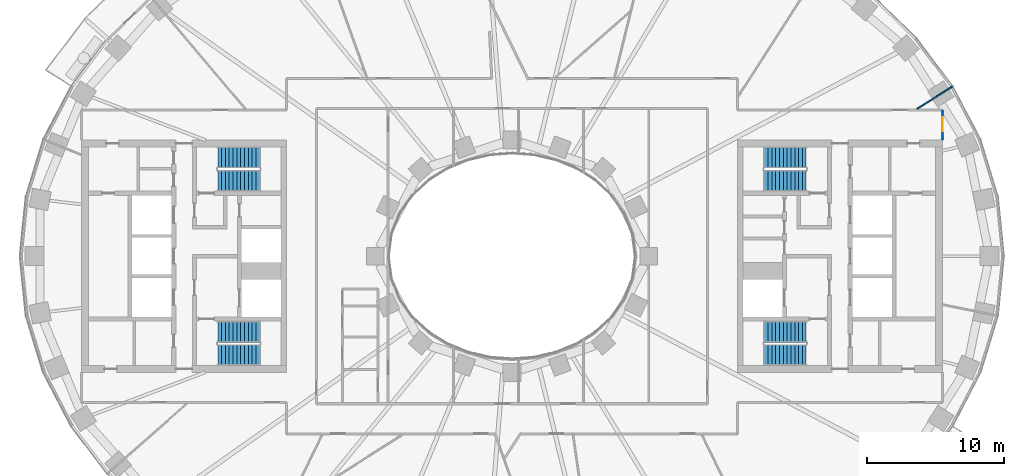
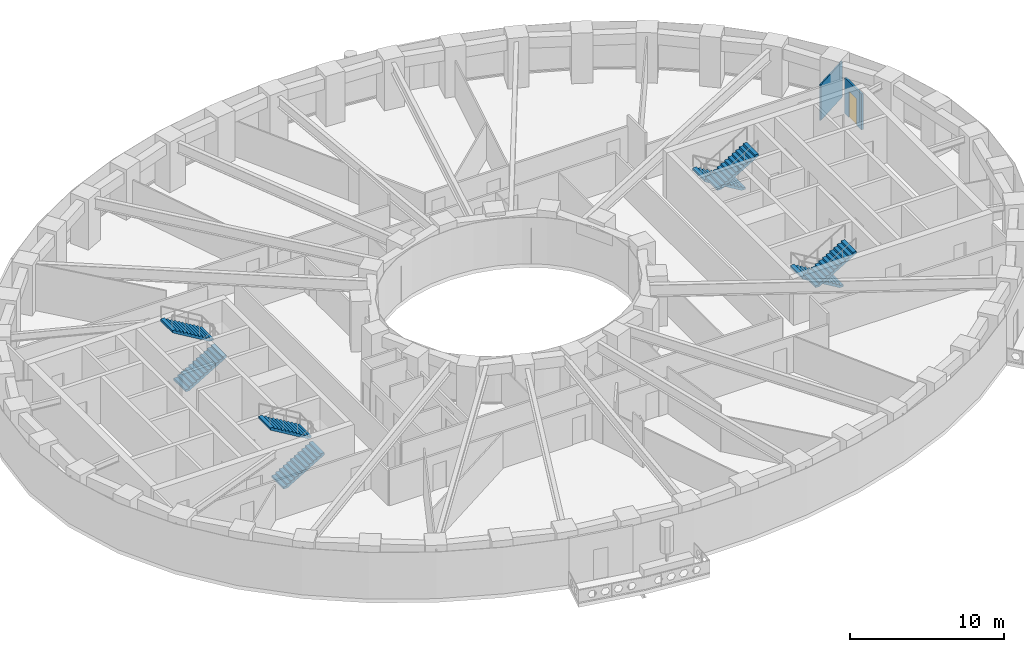
# One storey, part 7 of 16: 8 stair flights, 2 walls, 1 door, 1 opening, 4 elements without a shape of their own.
"""IFC4 building model written with IfcOpenShell, lengths in metres."""

import ifcopenshell
import ifcopenshell.guid

model = None  # the IFC model being written
_history = None  # IfcOwnerHistory: only IFC2X3 demands one
_inside = {}  # id of a spatial element -> (the spatial element, [elements in it])
_under = {}  # id of a project, library or spatial element -> (it, [spatial elements below it])
_declared = {}  # id of a project -> (the project, [libraries it declares])
_typed = {}  # id of a type object -> (the type object, [elements of that type])
_made_of = {}  # id of a material, layer set ... -> (it, [elements and type objects made of it])


def new_model(schema):
    """Start an empty IFC model of exactly this schema.

    Asked for "IFC4X3", IfcOpenShell would pick the latest addendum, in which some entities
    have other attributes; the version numbers below select the first issue.
    IFC2X3 requires an IfcOwnerHistory on every rooted entity: one is made here for all.
    """
    global model, _history
    if schema == "IFC4X3":
        model = ifcopenshell.file(schema_version=(4, 3, 0, 0))
    else:
        model = ifcopenshell.file(schema=schema)
    _inside.clear()
    _under.clear()
    _declared.clear()
    _typed.clear()
    _made_of.clear()
    _history = None
    if model.schema == "IFC2X3":
        org = make("IfcOrganization", Name="unknown")
        user = make(
            "IfcPersonAndOrganization",
            ThePerson=make("IfcPerson", FamilyName="unknown"),
            TheOrganization=org,
        )
        app = make(
            "IfcApplication",
            ApplicationDeveloper=org,
            Version="unknown",
            ApplicationFullName="unknown",
            ApplicationIdentifier="unknown",
        )
        _history = make(
            "IfcOwnerHistory",
            OwningUser=user,
            OwningApplication=app,
            ChangeAction="ADDED",
            CreationDate=0,
        )
    return model


def make(cls, **values):
    """One entity of the class cls with the attributes given. An attribute that is None is left unset."""
    return model.create_entity(
        cls, **{name: value for name, value in values.items() if value is not None}
    )


def rooted(cls, **values):
    """An entity with a GlobalId (a new one), such as an element, a storey or a relation."""
    return make(cls, GlobalId=ifcopenshell.guid.new(), OwnerHistory=_history, **values)


def si_unit(unit_type, name, prefix=None):
    """IfcSIUnit, for example si_unit("LENGTHUNIT", "METRE", prefix="MILLI")."""
    return make("IfcSIUnit", UnitType=unit_type, Prefix=prefix, Name=name)


def assignment(units):
    """IfcUnitAssignment: the units of a project."""
    return None if units is None else make("IfcUnitAssignment", Units=units)


def point(xyz):
    """IfcCartesianPoint."""
    return None if xyz is None else make("IfcCartesianPoint", Coordinates=xyz)


def direction(xyz):
    """IfcDirection."""
    return None if xyz is None else make("IfcDirection", DirectionRatios=xyz)


def frame(location, z_axis=None, x_axis=None):
    """IfcAxis2Placement3D, a coordinate frame: its origin and axes. An axis left out is left unset."""
    return make(
        "IfcAxis2Placement3D",
        Location=point(location),
        Axis=direction(z_axis),
        RefDirection=direction(x_axis),
    )


def frame_2d(location, x_axis=None):
    """IfcAxis2Placement2D, a coordinate frame in the plane: its origin and x axis."""
    return make(
        "IfcAxis2Placement2D", Location=point(location), RefDirection=direction(x_axis)
    )


def origin():
    """The frame at (0, 0, 0) with its axes left unset."""
    return frame((0.0, 0.0, 0.0))


def place(relative_to, where):
    """IfcLocalPlacement: puts the frame where relative to a parent placement (None: the world)."""
    return make(
        "IfcLocalPlacement", PlacementRelTo=relative_to, RelativePlacement=where
    )


def context(
    kind, dimensions, precision=None, world=None, true_north=None, identifier=None
):
    """IfcGeometricRepresentationContext, for example the 3D "Model" context."""
    return make(
        "IfcGeometricRepresentationContext",
        ContextIdentifier=identifier,
        ContextType=kind,
        CoordinateSpaceDimension=dimensions,
        Precision=precision,
        WorldCoordinateSystem=world,
        TrueNorth=true_north,
    )


def subcontext(parent, identifier, kind, view, scale=None):
    """IfcGeometricRepresentationSubContext, for example "Body" below "Model"."""
    return make(
        "IfcGeometricRepresentationSubContext",
        ContextIdentifier=identifier,
        ContextType=kind,
        ParentContext=parent,
        TargetScale=scale,
        TargetView=view,
    )


def project(units=None, contexts=None):
    """IfcProject with its units and contexts."""
    return rooted(
        "IfcProject",
        Name="project",
        RepresentationContexts=contexts,
        UnitsInContext=assignment(units),
    )


def spatial(cls, under=None, at=None, **own):
    """A site, building, storey or space (cls), placed at a placement, below another one or the project."""
    s = rooted(cls, ObjectPlacement=at, **own)
    if under is not None:
        _under.setdefault(under.id(), (under, []))[1].append(s)
    return s


def polyline(points):
    """IfcPolyline through the points."""
    return make("IfcPolyline", Points=[point(p) for p in points])


def profile(cls, at=None, kind="AREA", **sizes):
    """A parametric profile (cls). Its sizes go by their IFC names, for example OverallWidth=200.0."""
    return make(cls, ProfileType=kind, Position=at, **sizes)


def rectangle(**sizes):
    """IfcRectangleProfileDef."""
    return profile("IfcRectangleProfileDef", **sizes)


def outline(outer, holes=None, kind="AREA"):
    """IfcArbitraryClosedProfileDef: a profile drawn as a closed curve; with holes, ...WithVoids."""
    if holes is None:
        return make("IfcArbitraryClosedProfileDef", ProfileType=kind, OuterCurve=outer)
    return make(
        "IfcArbitraryProfileDefWithVoids",
        ProfileType=kind,
        OuterCurve=outer,
        InnerCurves=holes,
    )


def extrude(swept, where, along, depth):
    """IfcExtrudedAreaSolid: the profile swept, set in the frame where, extruded along a direction by depth."""
    return make(
        "IfcExtrudedAreaSolid",
        SweptArea=swept,
        Position=where,
        ExtrudedDirection=direction(along),
        Depth=depth,
    )


def shape(context_of_items, identifier, shape_type, items):
    """IfcShapeRepresentation: the items that make up one representation, for example the "Body"."""
    return make(
        "IfcShapeRepresentation",
        ContextOfItems=context_of_items,
        RepresentationIdentifier=identifier,
        RepresentationType=shape_type,
        Items=items,
    )


def material(Name=None, Category=None):
    """IfcMaterial."""
    return make("IfcMaterial", Name=Name, Category=Category)


def layer(
    of_material, thickness, ventilated=None, Name=None, Category=None, Priority=None
):
    """IfcMaterialLayer: one layer of a wall or slab, of a material (None: an air gap)."""
    return make(
        "IfcMaterialLayer",
        Material=of_material,
        LayerThickness=thickness,
        IsVentilated=ventilated,
        Name=Name,
        Category=Category,
        Priority=Priority,
    )


def layer_set(layers, Name=None):
    """IfcMaterialLayerSet."""
    return make("IfcMaterialLayerSet", MaterialLayers=layers, LayerSetName=Name)


def made_of(thing, what):
    """Note that an element or type object is made of a material, layer set ...; save() writes the relation."""
    if what is not None:
        _made_of.setdefault(what.id(), (what, []))[1].append(thing)
    return thing


def type_object(cls, material=None, **own):
    """A type object (cls), such as IfcWallType, which elements share."""
    return made_of(rooted(cls, **own), material)


def element(
    cls,
    number,
    at=None,
    inside=None,
    cuts=None,
    type_object=None,
    material=None,
    context=None,
    identifier="Body",
    shape_type=None,
    held_by="IfcProductDefinitionShape",
    body=None,
    shapes=None,
    **own,
):
    """One element of the class cls, such as IfcWall. Its Tag is "e" and its number.

    at: its placement. inside: the storey or other place that contains it. cuts: it is an
    opening in that element (IfcRelVoidsElement). A single representation is given by context,
    identifier, shape_type and body (its items); several are given by shapes. held_by: the class
    of the entity that holds the representations. save() writes the other relations.
    """
    e = rooted(cls, Tag="e%d" % number, ObjectPlacement=at, **own)
    if body is not None:
        shapes = [shape(context, identifier, shape_type, body)]
    if shapes is not None:
        e.Representation = make(held_by, Representations=shapes)
    if inside is not None:
        _inside.setdefault(inside.id(), (inside, []))[1].append(e)
    if cuts is not None:
        rooted(
            "IfcRelVoidsElement", RelatingBuildingElement=cuts, RelatedOpeningElement=e
        )
    if type_object is not None:
        _typed.setdefault(type_object.id(), (type_object, []))[1].append(e)
    return made_of(e, material)


def fill(opening, filler):
    """IfcRelFillsElement: the door or window that sits in an opening."""
    return rooted(
        "IfcRelFillsElement",
        RelatingOpeningElement=opening,
        RelatedBuildingElement=filler,
    )


def aggregate(whole, parts):
    """IfcRelAggregates: a whole, such as a stair, and the parts it consists of."""
    return rooted("IfcRelAggregates", RelatingObject=whole, RelatedObjects=parts)


def save(model, path):
    """Write the relations noted so far, then the file.

    IfcRelAggregates (storeys below a building ...), IfcRelContainedInSpatialStructure (elements
    in a storey), IfcRelDefinesByType, IfcRelAssociatesMaterial and IfcRelDeclares: one each for
    every whole, place, type object, material and project.
    """
    for whole, parts in _under.values():
        aggregate(whole, parts)
    for where, things in _inside.values():
        rooted(
            "IfcRelContainedInSpatialStructure",
            RelatedElements=things,
            RelatingStructure=where,
        )
    for kind, things in _typed.values():
        rooted("IfcRelDefinesByType", RelatedObjects=things, RelatingType=kind)
    for what, things in _made_of.values():
        rooted("IfcRelAssociatesMaterial", RelatedObjects=things, RelatingMaterial=what)
    for by, libraries in _declared.values():
        rooted("IfcRelDeclares", RelatingContext=by, RelatedDefinitions=libraries)
    model.write(path)


model = new_model("IFC4")

# Units and contexts
model_context = context("Model", 3, precision=1e-05, world=origin(), true_north=direction((0.0, 1.0)))
body_context = subcontext(model_context, "Body", "Model", "MODEL_VIEW")
ifc_project = project(units=[si_unit("LENGTHUNIT", "METRE"), si_unit("AREAUNIT", "SQUARE_METRE"), si_unit("VOLUMEUNIT", "CUBIC_METRE"), si_unit("PLANEANGLEUNIT", "RADIAN"), si_unit("MASSUNIT", "GRAM", prefix="KILO")], contexts=[model_context])

# Site, building, storey
site_placement = place(None, origin())
site = spatial("IfcSite", under=ifc_project, at=site_placement, CompositionType="ELEMENT")
building_placement = place(site_placement, origin())
building = spatial("IfcBuilding", under=site, at=building_placement, Name="Noorbagh Ring Tower", CompositionType="ELEMENT")
storey_placement = place(building_placement, frame((0.0, 0.0, 58.5)))
storey = spatial("IfcBuildingStorey", under=building, at=storey_placement, Name="L12", CompositionType="ELEMENT", Elevation=58.5)

# Wall, opening, door
ifc_material_1 = material(Name="Gypsum board on steel studs", Category="steel")
ifc_layer_1 = layer(ifc_material_1, 0.14990234375)
ifc_layer_set_1 = layer_set([ifc_layer_1], Name="Gypsum board on steel studs")
wall_type_1 = type_object("IfcWallType", Name="CORRIDOR PARTITION 150 EI 30", PredefinedType="PARTITIONING", material=ifc_layer_set_1)
wall_1_placement = place(storey_placement, frame((31.5, 8.5, 0.0), z_axis=(0.0, 0.0, 1.0), x_axis=(0.0, 1.0, 0.0)))
wall_1 = element("IfcWall", 1, at=wall_1_placement, inside=storey, type_object=wall_type_1, Name="L12/wall/P62", PredefinedType="PARTITIONING", context=body_context, shape_type="SweptSolid", body=[
    extrude(rectangle(XDim=2.199951171875, YDim=0.14990234375, at=frame_2d((1.10009765625, 0.0))), origin(), (0.0, 0.0, 1.0), 2.85009765625),
])
opening_placement = place(wall_1_placement, frame((0.64990234375, 0.0, 0.0)))
opening = element("IfcOpeningElement", 2, at=opening_placement, cuts=wall_1, Name="Opening D1", PredefinedType="OPENING", context=body_context, shape_type="SweptSolid", body=[
    extrude(rectangle(XDim=1.0, YDim=2.10009765625, at=frame_2d((0.5, 1.050048828125))), frame((0.0, 0.0849609375, 0.0), z_axis=(0.0, -1.0, 0.0), x_axis=(1.0, 0.0, 0.0)), (0.0, 0.0, 1.0), 0.169921875),
])
ifc_material_2 = material(Name="Timber, painted", Category="wood")
door_type = type_object("IfcDoorType", Name="DOOR 1000 X 2100 FD30", OperationType="SINGLE_SWING_LEFT", PredefinedType="DOOR", material=ifc_material_2)
door_placement = place(opening_placement, origin())
door = element("IfcDoor", 3, at=door_placement, inside=storey, type_object=door_type, Name="L12-D20", OperationType="SINGLE_SWING_RIGHT", OverallHeight=2.10009765625, OverallWidth=1.0, PredefinedType="DOOR", context=body_context, shape_type="SweptSolid", body=[
    extrude(rectangle(XDim=1.0, YDim=2.10009765625, at=frame_2d((0.5, 1.050048828125))), frame((0.0, 0.02490234375, 0.0), z_axis=(0.0, -1.0, 0.0), x_axis=(1.0, 0.0, 0.0)), (0.0, 0.0, 1.0), 0.050048828125),
])
fill(opening, door)

# Wall
ifc_material_3 = material(Name="Gypsum board on steel studs", Category="steel")
ifc_layer_2 = layer(ifc_material_3, 0.10009765625)
ifc_layer_set_2 = layer_set([ifc_layer_2], Name="Gypsum board on steel studs")
wall_type_2 = type_object("IfcWallType", Name="PARTITION 100 GYPSUM", PredefinedType="PARTITIONING", material=ifc_layer_set_2)
wall_2_placement = place(storey_placement, frame((29.636962890625, 10.777099609375, 0.0), z_axis=(0.0, 0.0, 1.0), x_axis=(0.844810627195, 0.535065420467, 0.0)))
element("IfcWall", 4, at=wall_2_placement, inside=storey, type_object=wall_type_2, Name="L12/wall/P59", PredefinedType="PARTITIONING", context=body_context, shape_type="SweptSolid", body=[
    extrude(rectangle(XDim=3.0478515625, YDim=0.10009765625, at=frame_2d((1.52392578125, 0.0))), origin(), (0.0, 0.0, 1.0), 2.85009765625),
])

# Stair, stair flights
ifc_material_4 = material(Name="Concrete C40/50", Category="concrete")
stair_type = type_object("IfcStairType", Name="CORE-STAIR", PredefinedType="HALF_TURN_STAIR", material=ifc_material_4)
stair_1_placement = place(storey_placement, origin())
stair_1 = element("IfcStair", 5, at=stair_1_placement, inside=storey, type_object=stair_type, Name="L12 Exit stair ST1", PredefinedType="HALF_TURN_STAIR")
ifc_material_5 = material(Name="Concrete C40/50", Category="concrete")
stair_flight_type = type_object("IfcStairFlightType", Name="CORE-STAIR-FLIGHT", PredefinedType="STRAIGHT", material=ifc_material_5)
stair_flight_1_placement = place(storey_placement, frame((-21.530029296875, 5.52490234375, 0.0), z_axis=(0.0, 0.0, 1.0), x_axis=(1.0, 0.0, 0.0)))
stair_flight_1 = element("IfcStairFlight", 6, at=stair_flight_1_placement, type_object=stair_flight_type, Name="ST1 flight 1", NumberOfRisers=12, NumberOfTreads=11, PredefinedType="STRAIGHT", RiserHeight=0.166666667, TreadLength=0.28, context=body_context, shape_type="SweptSolid", body=[
    extrude(outline(polyline([(0.0, 0.0), (0.0, 0.166748046875), (0.280029296875, 0.166748046875), (0.280029296875, 0.333251953125), (0.56005859375, 0.333251953125), (0.56005859375, 0.5), (0.840087890625, 0.5), (0.840087890625, 0.666748046875), (1.1201171875, 0.666748046875), (1.1201171875, 0.833251953125), (1.39990234375, 0.833251953125), (1.39990234375, 1.0), (1.679931640625, 1.0), (1.679931640625, 1.166748046875), (1.9599609375, 1.166748046875), (1.9599609375, 1.333251953125), (2.239990234375, 1.333251953125), (2.239990234375, 1.5), (2.52001953125, 1.5), (2.52001953125, 1.666748046875), (2.800048828125, 1.666748046875), (2.800048828125, 1.833251953125), (3.080078125, 1.833251953125), (3.080078125, 2.0), (3.080078125, 1.658935546875), (0.29296875, 0.0), (0.0, 0.0)])), frame((0.0, 0.77490234375, 0.0), z_axis=(0.0, -1.0, 0.0), x_axis=(1.0, 0.0, 0.0)), (0.0, 0.0, 1.0), 1.550048828125),
])
stair_flight_2_placement = place(storey_placement, frame((-18.449951171875, 7.22509765625, 2.0), z_axis=(0.0, 0.0, 1.0), x_axis=(-1.0, 0.0, 0.0)))
stair_flight_2 = element("IfcStairFlight", 7, at=stair_flight_2_placement, type_object=stair_flight_type, Name="ST1 flight 2", NumberOfRisers=12, NumberOfTreads=11, PredefinedType="STRAIGHT", RiserHeight=0.166666667, TreadLength=0.28, context=body_context, shape_type="SweptSolid", body=[
    extrude(outline(polyline([(0.0, 0.0), (0.0, 0.166748046875), (0.280029296875, 0.166748046875), (0.280029296875, 0.333251953125), (0.56005859375, 0.333251953125), (0.56005859375, 0.5), (0.840087890625, 0.5), (0.840087890625, 0.666748046875), (1.1201171875, 0.666748046875), (1.1201171875, 0.833251953125), (1.39990234375, 0.833251953125), (1.39990234375, 1.0), (1.679931640625, 1.0), (1.679931640625, 1.166748046875), (1.9599609375, 1.166748046875), (1.9599609375, 1.333251953125), (2.239990234375, 1.333251953125), (2.239990234375, 1.5), (2.52001953125, 1.5), (2.52001953125, 1.666748046875), (2.800048828125, 1.666748046875), (2.800048828125, 1.833251953125), (3.080078125, 1.833251953125), (3.080078125, 2.0), (3.080078125, 1.658935546875), (0.29296875, 0.0), (0.0, 0.0)])), frame((0.0, 0.77490234375, 0.0), z_axis=(0.0, -1.0, 0.0), x_axis=(1.0, 0.0, 0.0)), (0.0, 0.0, 1.0), 1.550048828125),
])
aggregate(stair_1, [stair_flight_1, stair_flight_2])

stair_2_placement = place(storey_placement, origin())
stair_2 = element("IfcStair", 8, at=stair_2_placement, inside=storey, type_object=stair_type, Name="L12 Exit stair ST2", PredefinedType="HALF_TURN_STAIR")
stair_flight_3_placement = place(storey_placement, frame((-21.530029296875, -7.22509765625, 0.0), z_axis=(0.0, 0.0, 1.0), x_axis=(1.0, 0.0, 0.0)))
stair_flight_3 = element("IfcStairFlight", 9, at=stair_flight_3_placement, type_object=stair_flight_type, Name="ST2 flight 1", NumberOfRisers=12, NumberOfTreads=11, PredefinedType="STRAIGHT", RiserHeight=0.166666667, TreadLength=0.28, context=body_context, shape_type="SweptSolid", body=[
    extrude(outline(polyline([(0.0, 0.0), (0.0, 0.166748046875), (0.280029296875, 0.166748046875), (0.280029296875, 0.333251953125), (0.56005859375, 0.333251953125), (0.56005859375, 0.5), (0.840087890625, 0.5), (0.840087890625, 0.666748046875), (1.1201171875, 0.666748046875), (1.1201171875, 0.833251953125), (1.39990234375, 0.833251953125), (1.39990234375, 1.0), (1.679931640625, 1.0), (1.679931640625, 1.166748046875), (1.9599609375, 1.166748046875), (1.9599609375, 1.333251953125), (2.239990234375, 1.333251953125), (2.239990234375, 1.5), (2.52001953125, 1.5), (2.52001953125, 1.666748046875), (2.800048828125, 1.666748046875), (2.800048828125, 1.833251953125), (3.080078125, 1.833251953125), (3.080078125, 2.0), (3.080078125, 1.658935546875), (0.29296875, 0.0), (0.0, 0.0)])), frame((0.0, 0.77490234375, 0.0), z_axis=(0.0, -1.0, 0.0), x_axis=(1.0, 0.0, 0.0)), (0.0, 0.0, 1.0), 1.550048828125),
])
stair_flight_4_placement = place(storey_placement, frame((-18.449951171875, -5.52490234375, 2.0), z_axis=(0.0, 0.0, 1.0), x_axis=(-1.0, 0.0, 0.0)))
stair_flight_4 = element("IfcStairFlight", 10, at=stair_flight_4_placement, type_object=stair_flight_type, Name="ST2 flight 2", NumberOfRisers=12, NumberOfTreads=11, PredefinedType="STRAIGHT", RiserHeight=0.166666667, TreadLength=0.28, context=body_context, shape_type="SweptSolid", body=[
    extrude(outline(polyline([(0.0, 0.0), (0.0, 0.166748046875), (0.280029296875, 0.166748046875), (0.280029296875, 0.333251953125), (0.56005859375, 0.333251953125), (0.56005859375, 0.5), (0.840087890625, 0.5), (0.840087890625, 0.666748046875), (1.1201171875, 0.666748046875), (1.1201171875, 0.833251953125), (1.39990234375, 0.833251953125), (1.39990234375, 1.0), (1.679931640625, 1.0), (1.679931640625, 1.166748046875), (1.9599609375, 1.166748046875), (1.9599609375, 1.333251953125), (2.239990234375, 1.333251953125), (2.239990234375, 1.5), (2.52001953125, 1.5), (2.52001953125, 1.666748046875), (2.800048828125, 1.666748046875), (2.800048828125, 1.833251953125), (3.080078125, 1.833251953125), (3.080078125, 2.0), (3.080078125, 1.658935546875), (0.29296875, 0.0), (0.0, 0.0)])), frame((0.0, 0.77490234375, 0.0), z_axis=(0.0, -1.0, 0.0), x_axis=(1.0, 0.0, 0.0)), (0.0, 0.0, 1.0), 1.550048828125),
])
aggregate(stair_2, [stair_flight_3, stair_flight_4])

stair_3_placement = place(storey_placement, origin())
stair_3 = element("IfcStair", 11, at=stair_3_placement, inside=storey, type_object=stair_type, Name="L12 Exit stair ST3", PredefinedType="HALF_TURN_STAIR")
stair_flight_5_placement = place(storey_placement, frame((21.530029296875, 7.22509765625, 0.0), z_axis=(0.0, 0.0, 1.0), x_axis=(-1.0, 0.0, 0.0)))
stair_flight_5 = element("IfcStairFlight", 12, at=stair_flight_5_placement, type_object=stair_flight_type, Name="ST3 flight 1", NumberOfRisers=12, NumberOfTreads=11, PredefinedType="STRAIGHT", RiserHeight=0.166666667, TreadLength=0.28, context=body_context, shape_type="SweptSolid", body=[
    extrude(outline(polyline([(0.0, 0.0), (0.0, 0.166748046875), (0.280029296875, 0.166748046875), (0.280029296875, 0.333251953125), (0.56005859375, 0.333251953125), (0.56005859375, 0.5), (0.840087890625, 0.5), (0.840087890625, 0.666748046875), (1.1201171875, 0.666748046875), (1.1201171875, 0.833251953125), (1.39990234375, 0.833251953125), (1.39990234375, 1.0), (1.679931640625, 1.0), (1.679931640625, 1.166748046875), (1.9599609375, 1.166748046875), (1.9599609375, 1.333251953125), (2.239990234375, 1.333251953125), (2.239990234375, 1.5), (2.52001953125, 1.5), (2.52001953125, 1.666748046875), (2.800048828125, 1.666748046875), (2.800048828125, 1.833251953125), (3.080078125, 1.833251953125), (3.080078125, 2.0), (3.080078125, 1.658935546875), (0.29296875, 0.0), (0.0, 0.0)])), frame((0.0, 0.77490234375, 0.0), z_axis=(0.0, -1.0, 0.0), x_axis=(1.0, 0.0, 0.0)), (0.0, 0.0, 1.0), 1.550048828125),
])
stair_flight_6_placement = place(storey_placement, frame((18.449951171875, 5.52490234375, 2.0), z_axis=(0.0, 0.0, 1.0), x_axis=(1.0, 0.0, 0.0)))
stair_flight_6 = element("IfcStairFlight", 13, at=stair_flight_6_placement, type_object=stair_flight_type, Name="ST3 flight 2", NumberOfRisers=12, NumberOfTreads=11, PredefinedType="STRAIGHT", RiserHeight=0.166666667, TreadLength=0.28, context=body_context, shape_type="SweptSolid", body=[
    extrude(outline(polyline([(0.0, 0.0), (0.0, 0.166748046875), (0.280029296875, 0.166748046875), (0.280029296875, 0.333251953125), (0.56005859375, 0.333251953125), (0.56005859375, 0.5), (0.840087890625, 0.5), (0.840087890625, 0.666748046875), (1.1201171875, 0.666748046875), (1.1201171875, 0.833251953125), (1.39990234375, 0.833251953125), (1.39990234375, 1.0), (1.679931640625, 1.0), (1.679931640625, 1.166748046875), (1.9599609375, 1.166748046875), (1.9599609375, 1.333251953125), (2.239990234375, 1.333251953125), (2.239990234375, 1.5), (2.52001953125, 1.5), (2.52001953125, 1.666748046875), (2.800048828125, 1.666748046875), (2.800048828125, 1.833251953125), (3.080078125, 1.833251953125), (3.080078125, 2.0), (3.080078125, 1.658935546875), (0.29296875, 0.0), (0.0, 0.0)])), frame((0.0, 0.77490234375, 0.0), z_axis=(0.0, -1.0, 0.0), x_axis=(1.0, 0.0, 0.0)), (0.0, 0.0, 1.0), 1.550048828125),
])
aggregate(stair_3, [stair_flight_5, stair_flight_6])

stair_4_placement = place(storey_placement, origin())
stair_4 = element("IfcStair", 14, at=stair_4_placement, inside=storey, type_object=stair_type, Name="L12 Exit stair ST4", PredefinedType="HALF_TURN_STAIR")
stair_flight_7_placement = place(storey_placement, frame((21.530029296875, -5.52490234375, 0.0), z_axis=(0.0, 0.0, 1.0), x_axis=(-1.0, 0.0, 0.0)))
stair_flight_7 = element("IfcStairFlight", 15, at=stair_flight_7_placement, type_object=stair_flight_type, Name="ST4 flight 1", NumberOfRisers=12, NumberOfTreads=11, PredefinedType="STRAIGHT", RiserHeight=0.166666667, TreadLength=0.28, context=body_context, shape_type="SweptSolid", body=[
    extrude(outline(polyline([(0.0, 0.0), (0.0, 0.166748046875), (0.280029296875, 0.166748046875), (0.280029296875, 0.333251953125), (0.56005859375, 0.333251953125), (0.56005859375, 0.5), (0.840087890625, 0.5), (0.840087890625, 0.666748046875), (1.1201171875, 0.666748046875), (1.1201171875, 0.833251953125), (1.39990234375, 0.833251953125), (1.39990234375, 1.0), (1.679931640625, 1.0), (1.679931640625, 1.166748046875), (1.9599609375, 1.166748046875), (1.9599609375, 1.333251953125), (2.239990234375, 1.333251953125), (2.239990234375, 1.5), (2.52001953125, 1.5), (2.52001953125, 1.666748046875), (2.800048828125, 1.666748046875), (2.800048828125, 1.833251953125), (3.080078125, 1.833251953125), (3.080078125, 2.0), (3.080078125, 1.658935546875), (0.29296875, 0.0), (0.0, 0.0)])), frame((0.0, 0.77490234375, 0.0), z_axis=(0.0, -1.0, 0.0), x_axis=(1.0, 0.0, 0.0)), (0.0, 0.0, 1.0), 1.550048828125),
])
stair_flight_8_placement = place(storey_placement, frame((18.449951171875, -7.22509765625, 2.0), z_axis=(0.0, 0.0, 1.0), x_axis=(1.0, 0.0, 0.0)))
stair_flight_8 = element("IfcStairFlight", 16, at=stair_flight_8_placement, type_object=stair_flight_type, Name="ST4 flight 2", NumberOfRisers=12, NumberOfTreads=11, PredefinedType="STRAIGHT", RiserHeight=0.166666667, TreadLength=0.28, context=body_context, shape_type="SweptSolid", body=[
    extrude(outline(polyline([(0.0, 0.0), (0.0, 0.166748046875), (0.280029296875, 0.166748046875), (0.280029296875, 0.333251953125), (0.56005859375, 0.333251953125), (0.56005859375, 0.5), (0.840087890625, 0.5), (0.840087890625, 0.666748046875), (1.1201171875, 0.666748046875), (1.1201171875, 0.833251953125), (1.39990234375, 0.833251953125), (1.39990234375, 1.0), (1.679931640625, 1.0), (1.679931640625, 1.166748046875), (1.9599609375, 1.166748046875), (1.9599609375, 1.333251953125), (2.239990234375, 1.333251953125), (2.239990234375, 1.5), (2.52001953125, 1.5), (2.52001953125, 1.666748046875), (2.800048828125, 1.666748046875), (2.800048828125, 1.833251953125), (3.080078125, 1.833251953125), (3.080078125, 2.0), (3.080078125, 1.658935546875), (0.29296875, 0.0), (0.0, 0.0)])), frame((0.0, 0.77490234375, 0.0), z_axis=(0.0, -1.0, 0.0), x_axis=(1.0, 0.0, 0.0)), (0.0, 0.0, 1.0), 1.550048828125),
])
aggregate(stair_4, [stair_flight_7, stair_flight_8])

save(model, "model.ifc")
